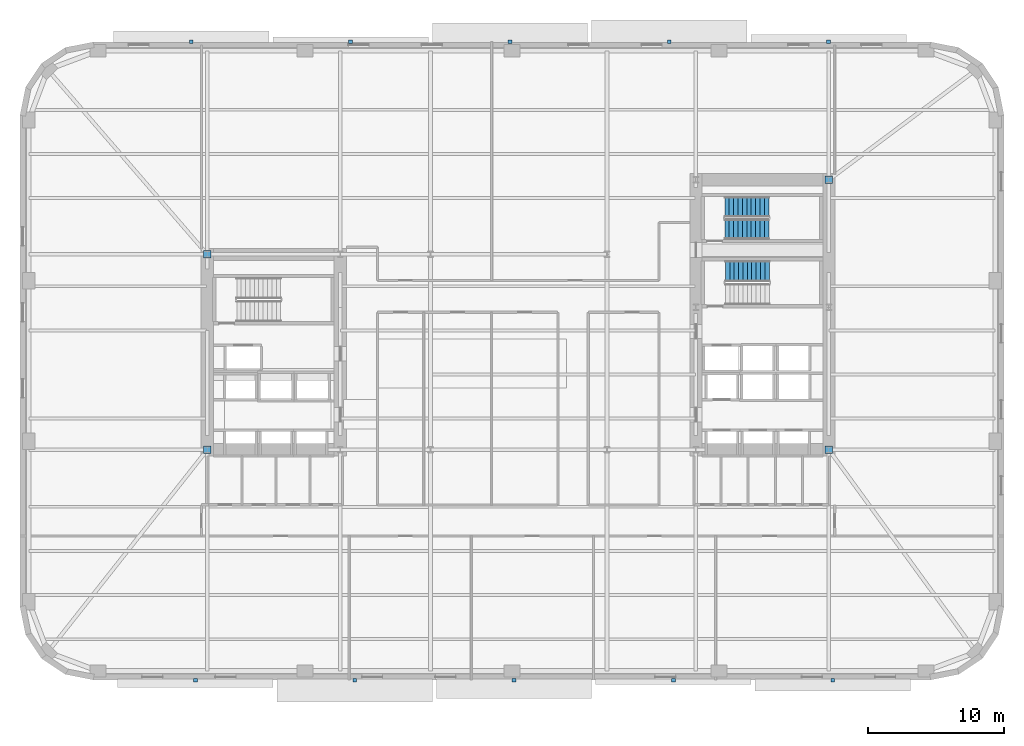
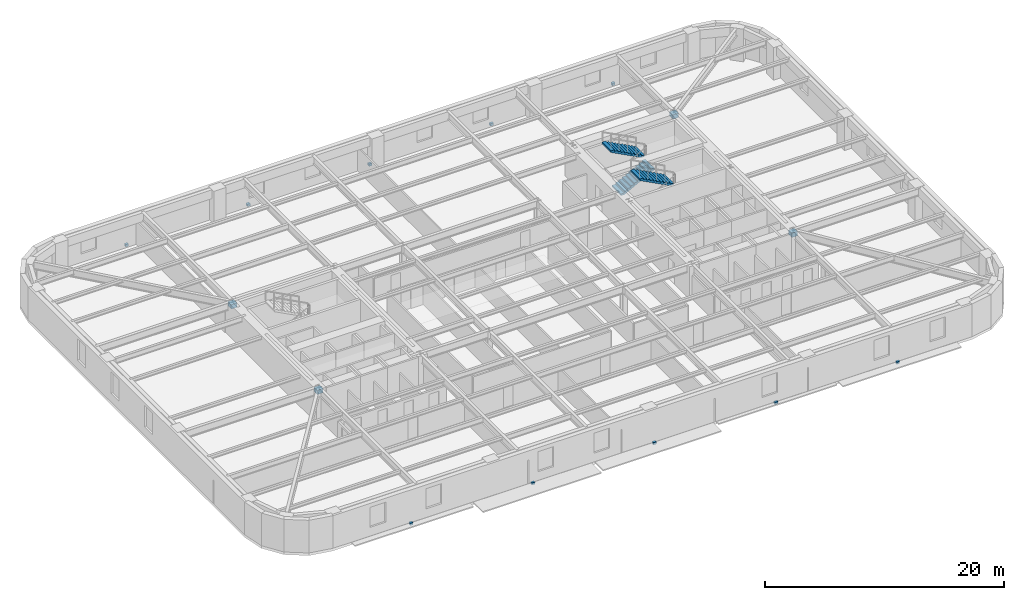
# One storey, part 8 of 14: 14 discrete accessories, 3 stair flights, 2 elements without a shape of their own.
"""IFC4 building model written with IfcOpenShell, lengths in metres."""

from ifc_helpers import new_model, si_unit, direction, frame, origin, origin_2d, place, context, subcontext, project, spatial, polyline, rectangle, outline, extrude, material, type_object, element, aggregate, save


model = new_model("IFC4")

# Units and contexts
model_context = context("Model", 3, precision=1e-05, world=origin(), true_north=direction((0.0, 1.0)))
body_context = subcontext(model_context, "Body", "Model", "MODEL_VIEW")
ifc_project = project(units=[si_unit("LENGTHUNIT", "METRE"), si_unit("AREAUNIT", "SQUARE_METRE"), si_unit("VOLUMEUNIT", "CUBIC_METRE"), si_unit("PLANEANGLEUNIT", "RADIAN"), si_unit("MASSUNIT", "GRAM", prefix="KILO")], contexts=[model_context])

# Site, building, storey
site_placement = place(None, origin())
site = spatial("IfcSite", under=ifc_project, at=site_placement, CompositionType="ELEMENT")
building_placement = place(site_placement, origin())
building = spatial("IfcBuilding", under=site, at=building_placement, Name="Kolvaren Arena Tower", CompositionType="ELEMENT")
storey_placement = place(building_placement, frame((0.0, 0.0, 90.75)))
storey = spatial("IfcBuildingStorey", under=building, at=storey_placement, Name="L20", CompositionType="ELEMENT", Elevation=90.75)

# Stair, stair flights
ifc_material_1 = material(Name="Concrete 45 MPa", Category="concrete")
stair_type_1 = type_object("IfcStairType", Name="STAIR-CORE-150", PredefinedType="HALF_TURN_STAIR", material=ifc_material_1)
stair_1_placement = place(storey_placement, origin())
stair_1 = element("IfcStair", 1, at=stair_1_placement, inside=storey, type_object=stair_type_1, Name="L20 ST-E2", PredefinedType="HALF_TURN_STAIR")
stair_flight_type_1 = type_object("IfcStairFlightType", Name="FLT-150", PredefinedType="STRAIGHT", material=ifc_material_1)
stair_flight_1_placement = place(storey_placement, frame((52.679931640625, 35.699951171875, 0.0), z_axis=(0.0, 0.0, 1.0), x_axis=(1.0, 0.0, 0.0)))
stair_flight_1 = element("IfcStairFlight", 2, at=stair_flight_1_placement, type_object=stair_flight_type_1, Name="ST-E2 flight 1", NumberOfRisers=11, NumberOfTreads=10, PredefinedType="STRAIGHT", RiserHeight=0.170454545, TreadLength=0.324, context=body_context, shape_type="SweptSolid", body=[
    extrude(outline(polyline([(0.0, 0.0), (0.0, 0.17041015625), (0.323974609375, 0.17041015625), (0.323974609375, 0.3408203125), (0.64794921875, 0.3408203125), (0.64794921875, 0.511474609375), (0.971923828125, 0.511474609375), (0.971923828125, 0.681884765625), (1.2958984375, 0.681884765625), (1.2958984375, 0.852294921875), (1.6201171875, 0.852294921875), (1.6201171875, 1.022705078125), (1.944091796875, 1.022705078125), (1.944091796875, 1.193115234375), (2.26806640625, 1.193115234375), (2.26806640625, 1.363525390625), (2.592041015625, 1.363525390625), (2.592041015625, 1.5341796875), (2.916015625, 1.5341796875), (2.916015625, 1.70458984375), (3.239990234375, 1.70458984375), (3.239990234375, 1.875), (3.239990234375, 1.53515625), (0.322021484375, 0.0), (0.0, 0.0)])), frame((0.0, 0.75, 0.0), z_axis=(0.0, -1.0, 0.0), x_axis=(1.0, 0.0, 0.0)), (0.0, 0.0, 1.0), 1.5),
])
stair_flight_2_placement = place(storey_placement, frame((55.919921875, 37.35009765625, 1.875), z_axis=(0.0, 0.0, 1.0), x_axis=(-1.0, 0.0, 0.0)))
stair_flight_2 = element("IfcStairFlight", 3, at=stair_flight_2_placement, type_object=stair_flight_type_1, Name="ST-E2 flight 2", NumberOfRisers=11, NumberOfTreads=10, PredefinedType="STRAIGHT", RiserHeight=0.170454545, TreadLength=0.324, context=body_context, shape_type="SweptSolid", body=[
    extrude(outline(polyline([(0.0, 0.0), (0.0, 0.17041015625), (0.323974609375, 0.17041015625), (0.323974609375, 0.3408203125), (0.64794921875, 0.3408203125), (0.64794921875, 0.511474609375), (0.971923828125, 0.511474609375), (0.971923828125, 0.681884765625), (1.2958984375, 0.681884765625), (1.2958984375, 0.852294921875), (1.6201171875, 0.852294921875), (1.6201171875, 1.022705078125), (1.944091796875, 1.022705078125), (1.944091796875, 1.193115234375), (2.26806640625, 1.193115234375), (2.26806640625, 1.363525390625), (2.592041015625, 1.363525390625), (2.592041015625, 1.5341796875), (2.916015625, 1.5341796875), (2.916015625, 1.70458984375), (3.239990234375, 1.70458984375), (3.239990234375, 1.875), (3.239990234375, 1.53515625), (0.322021484375, 0.0), (0.0, 0.0)])), frame((0.0, 0.75, 0.0), z_axis=(0.0, -1.0, 0.0), x_axis=(1.0, 0.0, 0.0)), (0.0, 0.0, 1.0), 1.5),
])
aggregate(stair_1, [stair_flight_1, stair_flight_2])

# Stair, stair flight
stair_type_2 = type_object("IfcStairType", Name="STAIR-CORE-165", PredefinedType="HALF_TURN_STAIR", material=ifc_material_1)
stair_2_placement = place(storey_placement, origin())
stair_2 = element("IfcStair", 4, at=stair_2_placement, inside=storey, type_object=stair_type_2, Name="L20 ST-E1", PredefinedType="HALF_TURN_STAIR")
stair_flight_type_2 = type_object("IfcStairFlightType", Name="FLT-165", PredefinedType="STRAIGHT", material=ifc_material_1)
stair_flight_3_placement = place(storey_placement, frame((55.9599609375, 32.610107421875, 1.875), z_axis=(0.0, 0.0, 1.0), x_axis=(-1.0, 0.0, 0.0)))
stair_flight_3 = element("IfcStairFlight", 5, at=stair_flight_3_placement, type_object=stair_flight_type_2, Name="ST-E1 flight 2", NumberOfRisers=11, NumberOfTreads=10, PredefinedType="STRAIGHT", RiserHeight=0.170454545, TreadLength=0.324, context=body_context, shape_type="SweptSolid", body=[
    extrude(outline(polyline([(0.0, 0.0), (0.0, 0.17041015625), (0.323974609375, 0.17041015625), (0.323974609375, 0.3408203125), (0.64794921875, 0.3408203125), (0.64794921875, 0.511474609375), (0.971923828125, 0.511474609375), (0.971923828125, 0.681884765625), (1.2958984375, 0.681884765625), (1.2958984375, 0.852294921875), (1.6201171875, 0.852294921875), (1.6201171875, 1.022705078125), (1.944091796875, 1.022705078125), (1.944091796875, 1.193115234375), (2.26806640625, 1.193115234375), (2.26806640625, 1.363525390625), (2.592041015625, 1.363525390625), (2.592041015625, 1.5341796875), (2.916015625, 1.5341796875), (2.916015625, 1.70458984375), (3.239990234375, 1.70458984375), (3.239990234375, 1.875), (3.239990234375, 1.53515625), (0.322021484375, 0.0), (0.0, 0.0)])), frame((0.0, 0.77001953125, 0.0), z_axis=(0.0, -1.0, 0.0), x_axis=(1.0, 0.0, 0.0)), (0.0, 0.0, 1.0), 1.5400390625),
])
aggregate(stair_2, [stair_flight_3])

# Discrete accessories
ifc_material_2 = material(Name="Stainless steel facade support bracket", Category="steel")
discrete_accessory_type_1 = type_object("IfcDiscreteAccessoryType", Name="ACC-BRKT-1", PredefinedType="BRACKET", material=ifc_material_2)
for number, where, z_axis, x_axis, name in (
    (6, (13.3701171875, 49.52001953125, -0.18017578125), (0.0, 0.0, 1.0), (1.0, 0.0, 0.0), "Sunshade Support Bracket (L20)"),
    (7, (25.110107421875, 49.52001953125, -0.18017578125), (0.0, 0.0, 1.0), (1.0, 0.0, 0.0), "Sunshade Support Bracket (L20)"),
    (8, (36.85009765625, 49.52001953125, -0.18017578125), (0.0, 0.0, 1.0), (1.0, 0.0, 0.0), "Sunshade Support Bracket (L20)"),
    (9, (48.590087890625, 49.52001953125, -0.18017578125), (0.0, 0.0, 1.0), (1.0, 0.0, 0.0), "Sunshade Support Bracket (L20)"),
    (10, (60.330078125, 49.52001953125, -0.18017578125), (0.0, 0.0, 1.0), (1.0, 0.0, 0.0), "Sunshade Support Bracket (L20)"),
    (11, (60.6298828125, 2.47998046875, -0.18017578125), (0.0, 0.0, 1.0), (-1.0, 0.0, 0.0), "Sunshade Support Bracket (L20)"),
    (12, (48.889892578125, 2.47998046875, -0.18017578125), (0.0, 0.0, 1.0), (-1.0, 0.0, 0.0), "Sunshade Support Bracket (L20)"),
    (13, (37.14990234375, 2.47998046875, -0.18017578125), (0.0, 0.0, 1.0), (-1.0, 0.0, 0.0), "Sunshade Support Bracket (L20)"),
    (14, (25.409912109375, 2.47998046875, -0.18017578125), (0.0, 0.0, 1.0), (-1.0, 0.0, 0.0), "Sunshade Support Bracket (L20)"),
    (15, (13.669921875, 2.47998046875, -0.18017578125), (0.0, 0.0, 1.0), (-1.0, 0.0, 0.0), "Sunshade Support Bracket (L20)"),
):
    element("IfcDiscreteAccessory", number, at=place(storey_placement, frame(where, z_axis=z_axis, x_axis=x_axis)), inside=storey, type_object=discrete_accessory_type_1, Name=name, PredefinedType="BRACKET", context=body_context, shape_type="SweptSolid", body=[
        extrude(rectangle(XDim=0.280029296875, YDim=0.239990234375, at=origin_2d()), origin(), (0.0, 0.0, 1.0), 0.239990234375),
    ])
ifc_material_3 = material(Name="Steel CSA G40.21 350W bolted gusset connection", Category="steel")
discrete_accessory_type_2 = type_object("IfcDiscreteAccessoryType", Name="ACC-CONN-1", PredefinedType="BRACKET", material=ifc_material_3)
for number, where, z_axis, x_axis, name in (
    (16, (60.35009765625, 19.449951171875, 2.7236328125), (0.0, 0.0, 1.0), (1.0, 0.0, 0.0), "Core Wall Cast-In Embed Plate EP1 (L20)"),
    (17, (60.35009765625, 39.35009765625, 2.7236328125), (0.0, 0.0, 1.0), (1.0, 0.0, 0.0), "Core Wall Cast-In Embed Plate EP1 (L20)"),
    (18, (14.550048828125, 33.85009765625, 2.7236328125), (0.0, 0.0, 1.0), (1.0, 0.0, 0.0), "Core Wall Cast-In Embed Plate EP1 (L20)"),
    (19, (14.550048828125, 19.449951171875, 2.7236328125), (0.0, 0.0, 1.0), (1.0, 0.0, 0.0), "Core Wall Cast-In Embed Plate EP1 (L20)"),
):
    element("IfcDiscreteAccessory", number, at=place(storey_placement, frame(where, z_axis=z_axis, x_axis=x_axis)), inside=storey, type_object=discrete_accessory_type_2, Name=name, PredefinedType="BRACKET", context=body_context, shape_type="SweptSolid", body=[
        extrude(rectangle(XDim=0.56005859375, YDim=0.56005859375, at=origin_2d()), origin(), (0.0, 0.0, 1.0), 0.43994140625),
    ])

save(model, "model.ifc")
